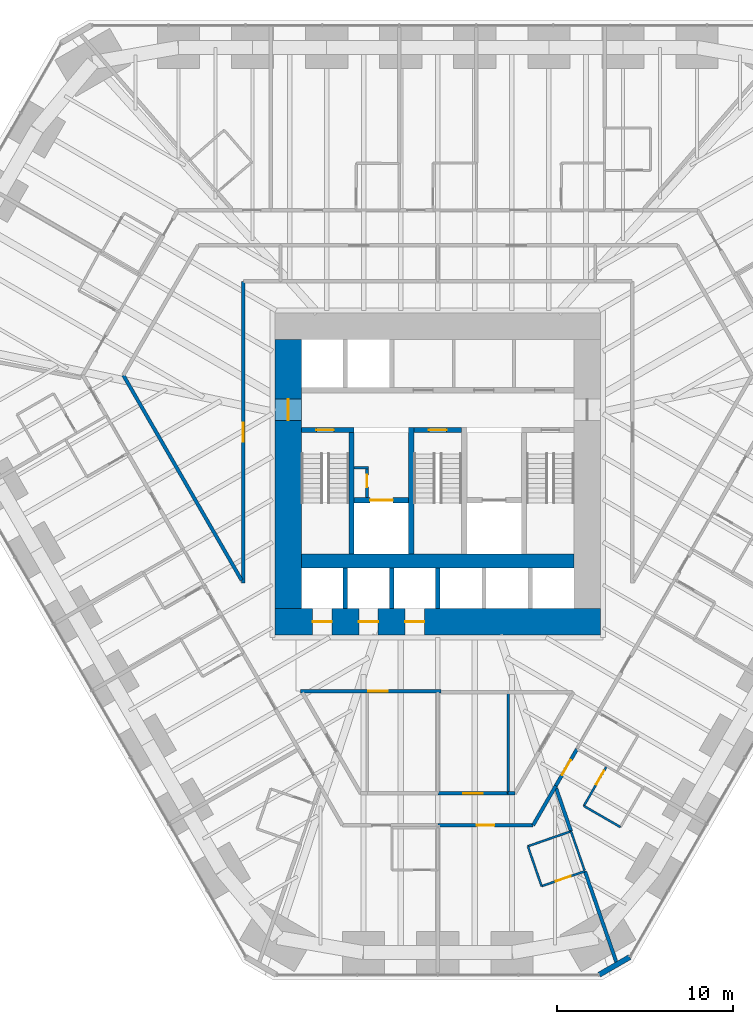
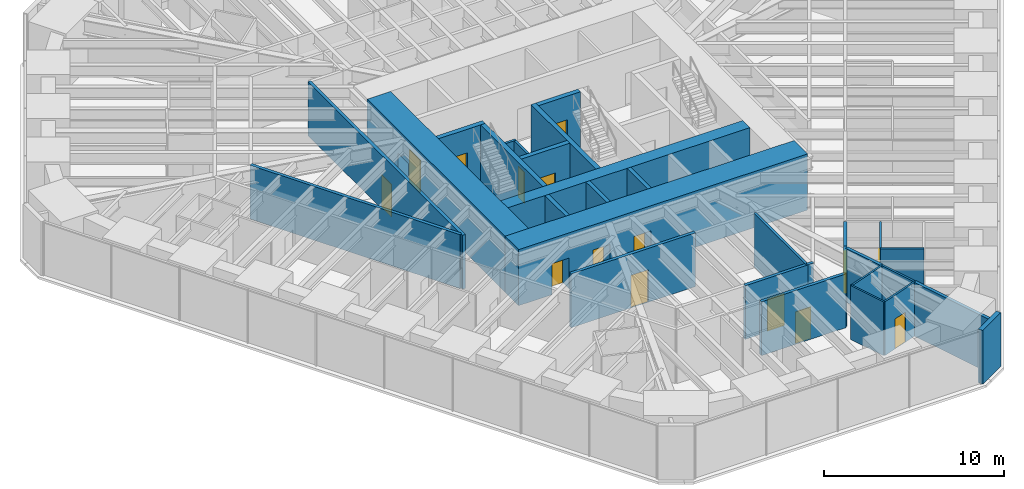
# One storey, part 12 of 17: 31 walls, 15 doors, 15 openings.
"""IFC4 building model written with IfcOpenShell, lengths in metres."""

from ifc_helpers import new_model, si_unit, direction, frame, frame_2d, origin, place, context, subcontext, project, spatial, rectangle, extrude, material, layer, layer_set, type_object, element, fill, save


model = new_model("IFC4")

# Units and contexts
model_context = context("Model", 3, precision=1e-05, world=origin(), true_north=direction((0.0, 1.0)))
body_context = subcontext(model_context, "Body", "Model", "MODEL_VIEW")
ifc_project = project(units=[si_unit("LENGTHUNIT", "METRE"), si_unit("AREAUNIT", "SQUARE_METRE"), si_unit("VOLUMEUNIT", "CUBIC_METRE"), si_unit("PLANEANGLEUNIT", "RADIAN"), si_unit("MASSUNIT", "GRAM", prefix="KILO")], contexts=[model_context])

# Site, building, storey
site_placement = place(None, origin())
site = spatial("IfcSite", under=ifc_project, at=site_placement, CompositionType="ELEMENT")
building_placement = place(site_placement, origin())
building = spatial("IfcBuilding", under=site, at=building_placement, Name="Sandreach Pilgrim Tower", CompositionType="ELEMENT")
storey_placement = place(building_placement, frame((0.0, 0.0, 26.800048828125)))
storey = spatial("IfcBuildingStorey", under=building, at=storey_placement, Name="L05", CompositionType="ELEMENT", Elevation=26.800048828125)

# Walls
ifc_material_1 = material(Name="Gypsum board on steel studs", Category="steel")
ifc_layer_1 = layer(ifc_material_1, 0.14990234375)
ifc_layer_set_1 = layer_set([ifc_layer_1], Name="Back of house wall 150")
wall_type_1 = type_object("IfcWallType", Name="Back of house wall 150", PredefinedType="PARTITIONING", material=ifc_layer_set_1)
wall_1_placement = place(storey_placement, frame((4.0, -13.949951171875, 0.0), z_axis=(0.0, 0.0, 1.0), x_axis=(0.0, -1.0, 0.0)))
element("IfcWall", 1, at=wall_1_placement, inside=storey, type_object=wall_type_1, Name="Back of house wall L05-094", PredefinedType="PARTITIONING", context=body_context, shape_type="SweptSolid", body=[
    extrude(rectangle(XDim=5.760009765625, YDim=0.14990234375, at=frame_2d((2.8798828125, 0.0))), origin(), (0.0, 0.0, 1.0), 3.639892578125),
])
ifc_material_2 = material(Name="Moisture-resistant gypsum board on steel studs", Category="steel")
ifc_layer_2 = layer(ifc_material_2, 0.1201171875)
ifc_layer_set_2 = layer_set([ifc_layer_2], Name="Bathroom partition 120")
wall_type_2 = type_object("IfcWallType", Name="Bathroom partition 120", PredefinedType="PARTITIONING", material=ifc_layer_set_2)
wall_2_placement = place(storey_placement, frame((5.1201171875, -22.7099609375, 0.0), z_axis=(0.0, 0.0, 1.0), x_axis=(0.324880771143, -0.945754981241, 0.0)))
element("IfcWall", 2, at=wall_2_placement, inside=storey, type_object=wall_type_2, Name="Bathroom partition L05-097", PredefinedType="PARTITIONING", context=body_context, shape_type="SweptSolid", body=[
    extrude(rectangle(XDim=2.400146484375, YDim=0.1201171875, at=frame_2d((1.2001953125, 0.0))), origin(), (0.0, 0.0, 1.0), 3.639892578125),
])

# Wall, opening, door
wall_3_placement = place(storey_placement, frame((5.89990234375, -24.97998046875, 0.0), z_axis=(0.0, 0.0, 1.0), x_axis=(0.945165466094, 0.326591857987, 0.0)))
wall_3 = element("IfcWall", 3, at=wall_3_placement, inside=storey, type_object=wall_type_2, Name="Bathroom partition L05-098", PredefinedType="PARTITIONING", context=body_context, shape_type="SweptSolid", body=[
    extrude(rectangle(XDim=2.60302734375, YDim=0.1201171875, at=frame_2d((1.301513671875, 0.0))), origin(), (0.0, 0.0, 1.0), 3.639892578125),
])
opening_1_placement = place(wall_3_placement, frame((0.85009765625, 0.0, 0.0)))
opening_1 = element("IfcOpeningElement", 4, at=opening_1_placement, cuts=wall_3, Name="Opening D09-13B", PredefinedType="OPENING", context=body_context, shape_type="SweptSolid", body=[
    extrude(rectangle(XDim=0.89990234375, YDim=2.030029296875, at=frame_2d((0.449951171875, 1.01513671875))), frame((0.0, 0.06005859375, 0.0), z_axis=(0.0, -1.0, 0.0), x_axis=(1.0, 0.0, 0.0)), (0.0, 0.0, 1.0), 0.1201171875),
])
ifc_material_3 = material(Name="Timber door, steel frame", Category="steel")
door_type_1 = type_object("IfcDoorType", Name="Bathroom door", OperationType="SINGLE_SWING_LEFT", PredefinedType="DOOR", material=ifc_material_3)
door_1_placement = place(opening_1_placement, origin())
door_1 = element("IfcDoor", 5, at=door_1_placement, inside=storey, type_object=door_type_1, Name="Door 0513B", OperationType="SINGLE_SWING_LEFT", OverallHeight=2.030029296875, OverallWidth=0.89990234375, PredefinedType="DOOR", context=body_context, shape_type="SweptSolid", body=[
    extrude(rectangle(XDim=0.89990234375, YDim=2.030029296875, at=frame_2d((0.449951171875, 1.01513671875))), frame((0.0, 0.02490234375, 0.0), z_axis=(0.0, -1.0, 0.0), x_axis=(1.0, 0.0, 0.0)), (0.0, 0.0, 1.0), 0.050048828125),
])
fill(opening_1, door_1)

# Walls
wall_4_placement = place(storey_placement, frame((7.570068359375, -21.860107421875, 0.0), z_axis=(0.0, 0.0, 1.0), x_axis=(-0.944782191137, -0.327698964463, 0.0)))
element("IfcWall", 6, at=wall_4_placement, inside=storey, type_object=wall_type_2, Name="Bathroom partition L05-104", PredefinedType="PARTITIONING", context=body_context, shape_type="SweptSolid", body=[
    extrude(rectangle(XDim=2.593505859375, YDim=0.1201171875, at=frame_2d((1.296875, 0.0))), origin(), (0.0, 0.0, 1.0), 3.639892578125),
])
wall_5_placement = place(storey_placement, frame((7.570068359375, -21.860107421875, 0.0), z_axis=(0.0, 0.0, 1.0), x_axis=(0.327706459026, -0.944779591605, 0.0)))
element("IfcWall", 7, at=wall_5_placement, inside=storey, type_object=wall_type_2, Name="Bathroom partition L05-105", PredefinedType="PARTITIONING", context=body_context, shape_type="SweptSolid", body=[
    extrude(rectangle(XDim=2.349609375, YDim=0.1201171875, at=frame_2d((1.1748046875, 0.0))), origin(), (0.0, 0.0, 1.0), 3.639892578125),
])
wall_6_placement = place(storey_placement, frame((8.300048828125, -20.419921875, 0.0), z_axis=(0.0, 0.0, 1.0), x_axis=(0.866177122335, -0.499737123639, 0.0)))
element("IfcWall", 8, at=wall_6_placement, inside=storey, type_object=wall_type_2, Name="Bathroom partition L05-109", PredefinedType="PARTITIONING", context=body_context, shape_type="SweptSolid", body=[
    extrude(rectangle(XDim=2.401123046875, YDim=0.1201171875, at=frame_2d((1.20068359375, 0.0))), origin(), (0.0, 0.0, 1.0), 3.639892578125),
])

# Wall, opening, door
wall_7_placement = place(storey_placement, frame((9.60009765625, -18.159912109375, 0.0), z_axis=(0.0, 0.0, 1.0), x_axis=(-0.498627694264, -0.866816256489, 0.0)))
wall_7 = element("IfcWall", 9, at=wall_7_placement, inside=storey, type_object=wall_type_2, Name="Bathroom partition L05-122", PredefinedType="PARTITIONING", context=body_context, shape_type="SweptSolid", body=[
    extrude(rectangle(XDim=2.607177734375, YDim=0.1201171875, at=frame_2d((1.3037109375, 0.0))), origin(), (0.0, 0.0, 1.0), 3.639892578125),
])
opening_2_placement = place(wall_7_placement, frame((0.300048828125, 0.0, 0.0)))
opening_2 = element("IfcOpeningElement", 10, at=opening_2_placement, cuts=wall_7, Name="Opening D09-12B", PredefinedType="OPENING", context=body_context, shape_type="SweptSolid", body=[
    extrude(rectangle(XDim=0.89990234375, YDim=2.030029296875, at=frame_2d((0.449951171875, 1.01513671875))), frame((0.0, 0.06005859375, 0.0), z_axis=(0.0, -1.0, 0.0), x_axis=(1.0, 0.0, 0.0)), (0.0, 0.0, 1.0), 0.1201171875),
])
door_2_placement = place(opening_2_placement, origin())
door_2 = element("IfcDoor", 11, at=door_2_placement, inside=storey, type_object=door_type_1, Name="Door 0512B", OperationType="SINGLE_SWING_LEFT", OverallHeight=2.030029296875, OverallWidth=0.89990234375, PredefinedType="DOOR", context=body_context, shape_type="SweptSolid", body=[
    extrude(rectangle(XDim=0.89990234375, YDim=2.030029296875, at=frame_2d((0.449951171875, 1.01513671875))), frame((0.0, 0.02490234375, 0.0), z_axis=(0.0, -1.0, 0.0), x_axis=(1.0, 0.0, 0.0)), (0.0, 0.0, 1.0), 0.050048828125),
])
fill(opening_2, door_2)

# Walls
ifc_material_4 = material(Name="Concrete 10000 psi", Category="concrete")
ifc_layer_3 = layer(ifc_material_4, 0.300048828125)
ifc_layer_set_3 = layer_set([ifc_layer_3], Name="Core inner wall 300")
wall_type_3 = type_object("IfcWallType", Name="Core inner wall 300", PredefinedType="SHEAR", material=ifc_layer_set_3)
for number, where, z_axis, x_axis, name in (
    (12, (-4.89990234375, -6.10009765625, 0.0), (0.0, 0.0, 1.0), (0.0, 1.0, 0.0), "Core wall I0 L05"),
    (13, (-1.5, -6.10009765625, 0.0), (0.0, 0.0, 1.0), (0.0, 1.0, 0.0), "Core wall I1 L05"),
):
    element("IfcWall", number, at=place(storey_placement, frame(where, z_axis=z_axis, x_axis=x_axis)), inside=storey, type_object=wall_type_3, Name=name, PredefinedType="SHEAR", context=body_context, shape_type="SweptSolid", body=[
        extrude(rectangle(XDim=7.2001953125, YDim=0.300048828125, at=frame_2d((3.60009765625, 0.0))), origin(), (0.0, 0.0, 1.0), 3.800048828125),
    ])

# Wall, opening, door
wall_8_placement = place(storey_placement, frame((-7.75, 0.949951171875, 0.0), z_axis=(0.0, 0.0, 1.0), x_axis=(1.0, 0.0, 0.0)))
wall_8 = element("IfcWall", 14, at=wall_8_placement, inside=storey, type_object=wall_type_3, Name="Core wall SN1 L05", PredefinedType="SHEAR", context=body_context, shape_type="SweptSolid", body=[
    extrude(rectangle(XDim=3.0, YDim=0.300048828125, at=frame_2d((1.5, 0.0))), origin(), (0.0, 0.0, 1.0), 3.800048828125),
])
opening_3_placement = place(wall_8_placement, frame((0.85009765625, 0.0, 0.0)))
opening_3 = element("IfcOpeningElement", 15, at=opening_3_placement, cuts=wall_8, Name="Opening D10S-ST1", PredefinedType="OPENING", context=body_context, shape_type="SweptSolid", body=[
    extrude(rectangle(XDim=1.0, YDim=2.199951171875, at=frame_2d((0.5, 1.10009765625))), frame((0.0, 0.14990234375, 0.0), z_axis=(0.0, -1.0, 0.0), x_axis=(1.0, 0.0, 0.0)), (0.0, 0.0, 1.0), 0.300048828125),
])
ifc_material_5 = material(Name="Steel door and frame", Category="steel")
door_type_2 = type_object("IfcDoorType", Name="Stair door", OperationType="SINGLE_SWING_LEFT", PredefinedType="DOOR", material=ifc_material_5)
door_3_placement = place(opening_3_placement, origin())
door_3 = element("IfcDoor", 16, at=door_3_placement, inside=storey, type_object=door_type_2, Name="Stair door ST1 L05", OperationType="SINGLE_SWING_LEFT", OverallHeight=2.199951171875, OverallWidth=1.0, PredefinedType="DOOR", context=body_context, shape_type="SweptSolid", body=[
    extrude(rectangle(XDim=1.0, YDim=2.199951171875, at=frame_2d((0.5, 1.10009765625))), frame((0.0, 0.02490234375, 0.0), z_axis=(0.0, -1.0, 0.0), x_axis=(1.0, 0.0, 0.0)), (0.0, 0.0, 1.0), 0.050048828125),
])
fill(opening_3, door_3)

wall_9_placement = place(storey_placement, frame((-1.35009765625, 0.949951171875, 0.0), z_axis=(0.0, 0.0, 1.0), x_axis=(1.0, 0.0, 0.0)))
wall_9 = element("IfcWall", 17, at=wall_9_placement, inside=storey, type_object=wall_type_3, Name="Core wall SN3 L05", PredefinedType="SHEAR", context=body_context, shape_type="SweptSolid", body=[
    extrude(rectangle(XDim=2.7001953125, YDim=0.300048828125, at=frame_2d((1.35009765625, 0.0))), origin(), (0.0, 0.0, 1.0), 3.800048828125),
])
opening_4_placement = place(wall_9_placement, frame((0.85009765625, 0.0, 0.0)))
opening_4 = element("IfcOpeningElement", 18, at=opening_4_placement, cuts=wall_9, Name="Opening D10S-ST3", PredefinedType="OPENING", context=body_context, shape_type="SweptSolid", body=[
    extrude(rectangle(XDim=1.0, YDim=2.199951171875, at=frame_2d((0.5, 1.10009765625))), frame((0.0, 0.14990234375, 0.0), z_axis=(0.0, -1.0, 0.0), x_axis=(1.0, 0.0, 0.0)), (0.0, 0.0, 1.0), 0.300048828125),
])
door_4_placement = place(opening_4_placement, origin())
door_4 = element("IfcDoor", 19, at=door_4_placement, inside=storey, type_object=door_type_2, Name="Stair door ST3 L05", OperationType="SINGLE_SWING_LEFT", OverallHeight=2.199951171875, OverallWidth=1.0, PredefinedType="DOOR", context=body_context, shape_type="SweptSolid", body=[
    extrude(rectangle(XDim=1.0, YDim=2.199951171875, at=frame_2d((0.5, 1.10009765625))), frame((0.0, 0.02490234375, 0.0), z_axis=(0.0, -1.0, 0.0), x_axis=(1.0, 0.0, 0.0)), (0.0, 0.0, 1.0), 0.050048828125),
])
fill(opening_4, door_4)

wall_10_placement = place(storey_placement, frame((-4.75, -3.050048828125, 0.0), z_axis=(0.0, 0.0, 1.0), x_axis=(1.0, 0.0, 0.0)))
wall_10 = element("IfcWall", 20, at=wall_10_placement, inside=storey, type_object=wall_type_3, Name="Core wall FL1 L05", PredefinedType="SHEAR", context=body_context, shape_type="SweptSolid", body=[
    extrude(rectangle(XDim=3.10009765625, YDim=0.300048828125, at=frame_2d((1.550048828125, 0.0))), origin(), (0.0, 0.0, 1.0), 3.800048828125),
])
opening_5_placement = place(wall_10_placement, frame((0.89990234375, 0.0, 0.0)))
opening_5 = element("IfcOpeningElement", 21, at=opening_5_placement, cuts=wall_10, Name="Opening LD13", PredefinedType="OPENING", context=body_context, shape_type="SweptSolid", body=[
    extrude(rectangle(XDim=1.300048828125, YDim=2.10009765625, at=frame_2d((0.64990234375, 1.050048828125))), frame((0.0, 0.14990234375, 0.0), z_axis=(0.0, -1.0, 0.0), x_axis=(1.0, 0.0, 0.0)), (0.0, 0.0, 1.0), 0.300048828125),
])
ifc_material_6 = material(Name="Steel door and frame", Category="steel")
door_type_3 = type_object("IfcDoorType", Name="Fire service lift landing door", OperationType="DOUBLE_DOOR_SLIDING", PredefinedType="DOOR", material=ifc_material_6)
door_5_placement = place(opening_5_placement, origin())
door_5 = element("IfcDoor", 22, at=door_5_placement, inside=storey, type_object=door_type_3, Name="Lift landing door FS1 L05", OperationType="DOUBLE_DOOR_SLIDING", OverallHeight=2.10009765625, OverallWidth=1.300048828125, PredefinedType="DOOR", context=body_context, shape_type="SweptSolid", body=[
    extrude(rectangle(XDim=1.300048828125, YDim=2.10009765625, at=frame_2d((0.64990234375, 1.050048828125))), frame((0.0, 0.02490234375, 0.0), z_axis=(0.0, -1.0, 0.0), x_axis=(1.0, 0.0, 0.0)), (0.0, 0.0, 1.0), 0.050048828125),
])
fill(opening_5, door_5)

# Wall
ifc_material_7 = material(Name="Concrete 10000 psi", Category="concrete")
ifc_layer_4 = layer(ifc_material_7, 0.800048828125)
ifc_layer_set_4 = layer_set([ifc_layer_4], Name="Core mid wall 800")
wall_type_4 = type_object("IfcWallType", Name="Core mid wall 800", PredefinedType="SHEAR", material=ifc_layer_set_4)
wall_11_placement = place(storey_placement, frame((-7.75, -6.5, 0.0), z_axis=(0.0, 0.0, 1.0), x_axis=(1.0, 0.0, 0.0)))
element("IfcWall", 23, at=wall_11_placement, inside=storey, type_object=wall_type_4, Name="Core wall M L05", PredefinedType="SHEAR", context=body_context, shape_type="SweptSolid", body=[
    extrude(rectangle(XDim=15.5, YDim=0.800048828125, at=frame_2d((7.75, 0.0))), origin(), (0.0, 0.0, 1.0), 3.800048828125),
])

# Wall, openings, doors
ifc_material_8 = material(Name="Concrete 10000 psi", Category="concrete")
ifc_layer_5 = layer(ifc_material_8, 1.5)
ifc_layer_set_5 = layer_set([ifc_layer_5], Name="Core wall 1500")
wall_type_5 = type_object("IfcWallType", Name="Core wall 1500", PredefinedType="SHEAR", material=ifc_layer_set_5)
wall_12_placement = place(storey_placement, frame((-9.25, -9.949951171875, 0.0), z_axis=(0.0, 0.0, 1.0), x_axis=(1.0, 0.0, 0.0)))
wall_12 = element("IfcWall", 24, at=wall_12_placement, inside=storey, type_object=wall_type_5, Name="Core wall S L05", PredefinedType="SHEAR", context=body_context, shape_type="SweptSolid", body=[
    extrude(rectangle(XDim=18.5, YDim=1.5, at=frame_2d((9.25, 0.0))), origin(), (0.0, 0.0, 1.0), 3.800048828125),
])
opening_6_placement = place(wall_12_placement, frame((2.137451171875, 0.0, 0.0)))
opening_6 = element("IfcOpeningElement", 25, at=opening_6_placement, cuts=wall_12, Name="Opening LD11", PredefinedType="OPENING", context=body_context, shape_type="SweptSolid", body=[
    extrude(rectangle(XDim=1.10009765625, YDim=2.10009765625, at=frame_2d((0.550048828125, 1.050048828125))), frame((0.0, 0.75, 0.0), z_axis=(0.0, -1.0, 0.0), x_axis=(1.0, 0.0, 0.0)), (0.0, 0.0, 1.0), 1.5),
])
opening_7_placement = place(wall_12_placement, frame((4.762451171875, 0.0, 0.0)))
opening_7 = element("IfcOpeningElement", 26, at=opening_7_placement, cuts=wall_12, Name="Opening LD11", PredefinedType="OPENING", context=body_context, shape_type="SweptSolid", body=[
    extrude(rectangle(XDim=1.10009765625, YDim=2.10009765625, at=frame_2d((0.550048828125, 1.050048828125))), frame((0.0, 0.75, 0.0), z_axis=(0.0, -1.0, 0.0), x_axis=(1.0, 0.0, 0.0)), (0.0, 0.0, 1.0), 1.5),
])
opening_8_placement = place(wall_12_placement, frame((7.387451171875, 0.0, 0.0)))
opening_8 = element("IfcOpeningElement", 27, at=opening_8_placement, cuts=wall_12, Name="Opening LD11", PredefinedType="OPENING", context=body_context, shape_type="SweptSolid", body=[
    extrude(rectangle(XDim=1.10009765625, YDim=2.10009765625, at=frame_2d((0.550048828125, 1.050048828125))), frame((0.0, 0.75, 0.0), z_axis=(0.0, -1.0, 0.0), x_axis=(1.0, 0.0, 0.0)), (0.0, 0.0, 1.0), 1.5),
])
ifc_material_9 = material(Name="Steel door and frame", Category="steel")
door_type_4 = type_object("IfcDoorType", Name="Lift landing door", OperationType="DOUBLE_DOOR_SLIDING", PredefinedType="DOOR", material=ifc_material_9)
door_6_placement = place(opening_6_placement, origin())
door_6 = element("IfcDoor", 28, at=door_6_placement, inside=storey, type_object=door_type_4, Name="Lift landing door Z1A L05", OperationType="DOUBLE_DOOR_SLIDING", OverallHeight=2.10009765625, OverallWidth=1.10009765625, PredefinedType="DOOR", context=body_context, shape_type="SweptSolid", body=[
    extrude(rectangle(XDim=1.10009765625, YDim=2.10009765625, at=frame_2d((0.550048828125, 1.050048828125))), frame((0.0, 0.02490234375, 0.0), z_axis=(0.0, -1.0, 0.0), x_axis=(1.0, 0.0, 0.0)), (0.0, 0.0, 1.0), 0.050048828125),
])
fill(opening_6, door_6)
door_7_placement = place(opening_7_placement, origin())
door_7 = element("IfcDoor", 29, at=door_7_placement, inside=storey, type_object=door_type_4, Name="Lift landing door Z1B L05", OperationType="DOUBLE_DOOR_SLIDING", OverallHeight=2.10009765625, OverallWidth=1.10009765625, PredefinedType="DOOR", context=body_context, shape_type="SweptSolid", body=[
    extrude(rectangle(XDim=1.10009765625, YDim=2.10009765625, at=frame_2d((0.550048828125, 1.050048828125))), frame((0.0, 0.02490234375, 0.0), z_axis=(0.0, -1.0, 0.0), x_axis=(1.0, 0.0, 0.0)), (0.0, 0.0, 1.0), 0.050048828125),
])
fill(opening_7, door_7)
door_8_placement = place(opening_8_placement, origin())
door_8 = element("IfcDoor", 30, at=door_8_placement, inside=storey, type_object=door_type_4, Name="Lift landing door Z1C L05", OperationType="DOUBLE_DOOR_SLIDING", OverallHeight=2.10009765625, OverallWidth=1.10009765625, PredefinedType="DOOR", context=body_context, shape_type="SweptSolid", body=[
    extrude(rectangle(XDim=1.10009765625, YDim=2.10009765625, at=frame_2d((0.550048828125, 1.050048828125))), frame((0.0, 0.02490234375, 0.0), z_axis=(0.0, -1.0, 0.0), x_axis=(1.0, 0.0, 0.0)), (0.0, 0.0, 1.0), 0.050048828125),
])
fill(opening_8, door_8)

# Wall, opening, door
wall_13_placement = place(storey_placement, frame((-8.5, -9.199951171875, 0.0), z_axis=(0.0, 0.0, 1.0), x_axis=(0.0, 1.0, 0.0)))
wall_13 = element("IfcWall", 31, at=wall_13_placement, inside=storey, type_object=wall_type_5, Name="Core wall W L05", PredefinedType="SHEAR", context=body_context, shape_type="SweptSolid", body=[
    extrude(rectangle(XDim=15.300048828125, YDim=1.5, at=frame_2d((7.64990234375, 0.0))), origin(), (0.0, 0.0, 1.0), 3.800048828125),
])
opening_9_placement = place(wall_13_placement, frame((10.699951171875, 0.0, 0.0)))
opening_9 = element("IfcOpeningElement", 32, at=opening_9_placement, cuts=wall_13, Name="Opening D12F-W", PredefinedType="OPENING", context=body_context, shape_type="SweptSolid", body=[
    extrude(rectangle(XDim=1.199951171875, YDim=2.199951171875, at=frame_2d((0.60009765625, 1.10009765625))), frame((0.0, 0.75, 0.0), z_axis=(0.0, -1.0, 0.0), x_axis=(1.0, 0.0, 0.0)), (0.0, 0.0, 1.0), 1.5),
])
ifc_material_10 = material(Name="Steel door and frame", Category="steel")
door_type_5 = type_object("IfcDoorType", Name="Fire lobby door", OperationType="SINGLE_SWING_LEFT", PredefinedType="DOOR", material=ifc_material_10)
door_9_placement = place(opening_9_placement, origin())
door_9 = element("IfcDoor", 33, at=door_9_placement, inside=storey, type_object=door_type_5, Name="Fire service lobby door W L05", OperationType="SINGLE_SWING_RIGHT", OverallHeight=2.199951171875, OverallWidth=1.199951171875, PredefinedType="DOOR", context=body_context, shape_type="SweptSolid", body=[
    extrude(rectangle(XDim=1.199951171875, YDim=2.199951171875, at=frame_2d((0.60009765625, 1.10009765625))), frame((0.0, 0.02490234375, 0.0), z_axis=(0.0, -1.0, 0.0), x_axis=(1.0, 0.0, 0.0)), (0.0, 0.0, 1.0), 0.050048828125),
])
fill(opening_9, door_9)

# Wall
ifc_material_11 = material(Name="Gypsum board on steel studs, two layers each side", Category="steel")
ifc_layer_6 = layer(ifc_material_11, 0.199951171875)
ifc_layer_set_6 = layer_set([ifc_layer_6], Name="Corridor wall 200")
wall_type_6 = type_object("IfcWallType", Name="Corridor wall 200", PredefinedType="PARTITIONING", material=ifc_layer_set_6)
wall_14_placement = place(storey_placement, frame((-11.1474609375, -7.591064453125, 0.0), z_axis=(0.0, 0.0, 1.0), x_axis=(-0.499756496688, 0.86616594485, 0.0)))
element("IfcWall", 34, at=wall_14_placement, inside=storey, type_object=wall_type_6, Name="Corridor wall L05-046", PredefinedType="PARTITIONING", context=body_context, shape_type="SweptSolid", body=[
    extrude(rectangle(XDim=13.451416015625, YDim=0.199951171875, at=frame_2d((6.7255859375, 0.0))), origin(), (0.0, 0.0, 1.0), 3.639892578125),
])

# Wall, opening, door
wall_15_placement = place(storey_placement, frame((-11.050048828125, 9.39990234375, 0.0), z_axis=(0.0, 0.0, 1.0), x_axis=(0.0, -1.0, 0.0)))
wall_15 = element("IfcWall", 35, at=wall_15_placement, inside=storey, type_object=wall_type_6, Name="Corridor wall L05-048", PredefinedType="PARTITIONING", context=body_context, shape_type="SweptSolid", body=[
    extrude(rectangle(XDim=17.159912109375, YDim=0.199951171875, at=frame_2d((8.580078125, 0.0))), origin(), (0.0, 0.0, 1.0), 3.639892578125),
])
opening_10_placement = place(wall_15_placement, frame((8.030029296875, 0.0, 0.0)))
opening_10 = element("IfcOpeningElement", 36, at=opening_10_placement, cuts=wall_15, Name="Opening D11H-M01", PredefinedType="OPENING", context=body_context, shape_type="SweptSolid", body=[
    extrude(rectangle(XDim=1.10009765625, YDim=2.199951171875, at=frame_2d((0.550048828125, 1.10009765625))), frame((0.0, 0.10009765625, 0.0), z_axis=(0.0, -1.0, 0.0), x_axis=(1.0, 0.0, 0.0)), (0.0, 0.0, 1.0), 0.199951171875),
])
ifc_material_12 = material(Name="Steel door and frame", Category="steel")
door_type_6 = type_object("IfcDoorType", Name="Back of house door", OperationType="SINGLE_SWING_LEFT", PredefinedType="DOOR", material=ifc_material_12)
door_10_placement = place(opening_10_placement, origin())
door_10 = element("IfcDoor", 37, at=door_10_placement, inside=storey, type_object=door_type_6, Name="Door 05M01", OperationType="SINGLE_SWING_LEFT", OverallHeight=2.199951171875, OverallWidth=1.10009765625, PredefinedType="DOOR", context=body_context, shape_type="SweptSolid", body=[
    extrude(rectangle(XDim=1.10009765625, YDim=2.199951171875, at=frame_2d((0.550048828125, 1.10009765625))), frame((0.0, 0.02490234375, 0.0), z_axis=(0.0, -1.0, 0.0), x_axis=(1.0, 0.0, 0.0)), (0.0, 0.0, 1.0), 0.050048828125),
])
fill(opening_10, door_10)

wall_16_placement = place(storey_placement, frame((0.0, -21.510009765625, 0.0), z_axis=(0.0, 0.0, 1.0), x_axis=(1.0, 0.0, 0.0)))
wall_16 = element("IfcWall", 38, at=wall_16_placement, inside=storey, type_object=wall_type_6, Name="Corridor wall L05-081", PredefinedType="PARTITIONING", context=body_context, shape_type="SweptSolid", body=[
    extrude(rectangle(XDim=5.419921875, YDim=0.199951171875, at=frame_2d((2.7099609375, 0.0))), origin(), (0.0, 0.0, 1.0), 3.639892578125),
])
opening_11_placement = place(wall_16_placement, frame((2.2099609375, 0.0, 0.0)))
opening_11 = element("IfcOpeningElement", 39, at=opening_11_placement, cuts=wall_16, Name="Opening D10-13", PredefinedType="OPENING", context=body_context, shape_type="SweptSolid", body=[
    extrude(rectangle(XDim=1.0, YDim=2.1298828125, at=frame_2d((0.5, 1.06494140625))), frame((0.0, 0.10009765625, 0.0), z_axis=(0.0, -1.0, 0.0), x_axis=(1.0, 0.0, 0.0)), (0.0, 0.0, 1.0), 0.199951171875),
])
ifc_material_13 = material(Name="Steel door and frame", Category="steel")
door_type_7 = type_object("IfcDoorType", Name="Guest room entry door", OperationType="SINGLE_SWING_LEFT", PredefinedType="DOOR", material=ifc_material_13)
door_11_placement = place(opening_11_placement, origin())
door_11 = element("IfcDoor", 40, at=door_11_placement, inside=storey, type_object=door_type_7, Name="Door 0513", OperationType="SINGLE_SWING_LEFT", OverallHeight=2.1298828125, OverallWidth=1.0, PredefinedType="DOOR", context=body_context, shape_type="SweptSolid", body=[
    extrude(rectangle(XDim=1.0, YDim=2.1298828125, at=frame_2d((0.5, 1.06494140625))), frame((0.0, 0.02490234375, 0.0), z_axis=(0.0, -1.0, 0.0), x_axis=(1.0, 0.0, 0.0)), (0.0, 0.0, 1.0), 0.050048828125),
])
fill(opening_11, door_11)

wall_17_placement = place(storey_placement, frame((0.179931640625, -13.89990234375, 0.0), z_axis=(0.0, 0.0, 1.0), x_axis=(-1.0, 0.0, 0.0)))
wall_17 = element("IfcWall", 41, at=wall_17_placement, inside=storey, type_object=wall_type_6, Name="Corridor wall L05-088", PredefinedType="PARTITIONING", context=body_context, shape_type="SweptSolid", body=[
    extrude(rectangle(XDim=7.969970703125, YDim=0.199951171875, at=frame_2d((3.98486328125, 0.0))), origin(), (0.0, 0.0, 1.0), 3.639892578125),
])
opening_12_placement = place(wall_17_placement, frame((3.034912109375, 0.0, 0.0)))
opening_12 = element("IfcOpeningElement", 42, at=opening_12_placement, cuts=wall_17, Name="Opening D11H-S2", PredefinedType="OPENING", context=body_context, shape_type="SweptSolid", body=[
    extrude(rectangle(XDim=1.10009765625, YDim=2.199951171875, at=frame_2d((0.550048828125, 1.10009765625))), frame((0.0, 0.10009765625, 0.0), z_axis=(0.0, -1.0, 0.0), x_axis=(1.0, 0.0, 0.0)), (0.0, 0.0, 1.0), 0.199951171875),
])
door_12_placement = place(opening_12_placement, origin())
door_12 = element("IfcDoor", 43, at=door_12_placement, inside=storey, type_object=door_type_6, Name="Door 05S2", OperationType="SINGLE_SWING_LEFT", OverallHeight=2.199951171875, OverallWidth=1.10009765625, PredefinedType="DOOR", context=body_context, shape_type="SweptSolid", body=[
    extrude(rectangle(XDim=1.10009765625, YDim=2.199951171875, at=frame_2d((0.550048828125, 1.10009765625))), frame((0.0, 0.02490234375, 0.0), z_axis=(0.0, -1.0, 0.0), x_axis=(1.0, 0.0, 0.0)), (0.0, 0.0, 1.0), 0.050048828125),
])
fill(opening_12, door_12)

wall_18_placement = place(storey_placement, frame((4.0, -19.7099609375, 0.0), z_axis=(0.0, 0.0, 1.0), x_axis=(-1.0, 0.0, 0.0)))
wall_18 = element("IfcWall", 44, at=wall_18_placement, inside=storey, type_object=wall_type_6, Name="Corridor wall L05-093", PredefinedType="PARTITIONING", context=body_context, shape_type="SweptSolid", body=[
    extrude(rectangle(XDim=4.0, YDim=0.199951171875, at=frame_2d((2.0, 0.0))), origin(), (0.0, 0.0, 1.0), 3.639892578125),
])
opening_13_placement = place(wall_18_placement, frame((1.449951171875, 0.0, 0.0)))
opening_13 = element("IfcOpeningElement", 45, at=opening_13_placement, cuts=wall_18, Name="Opening D11H-S3", PredefinedType="OPENING", context=body_context, shape_type="SweptSolid", body=[
    extrude(rectangle(XDim=1.10009765625, YDim=2.199951171875, at=frame_2d((0.550048828125, 1.10009765625))), frame((0.0, 0.10009765625, 0.0), z_axis=(0.0, -1.0, 0.0), x_axis=(1.0, 0.0, 0.0)), (0.0, 0.0, 1.0), 0.199951171875),
])
door_13_placement = place(opening_13_placement, origin())
door_13 = element("IfcDoor", 46, at=door_13_placement, inside=storey, type_object=door_type_6, Name="Door 05S3", OperationType="SINGLE_SWING_LEFT", OverallHeight=2.199951171875, OverallWidth=1.10009765625, PredefinedType="DOOR", context=body_context, shape_type="SweptSolid", body=[
    extrude(rectangle(XDim=1.10009765625, YDim=2.199951171875, at=frame_2d((0.550048828125, 1.10009765625))), frame((0.0, 0.02490234375, 0.0), z_axis=(0.0, -1.0, 0.0), x_axis=(1.0, 0.0, 0.0)), (0.0, 0.0, 1.0), 0.050048828125),
])
fill(opening_13, door_13)

# Walls
wall_19_placement = place(storey_placement, frame((4.3798828125, -19.7099609375, 0.0), z_axis=(0.0, 0.0, 1.0), x_axis=(-1.0, 0.0, 0.0)))
element("IfcWall", 47, at=wall_19_placement, inside=storey, type_object=wall_type_6, Name="Corridor wall L05-096", PredefinedType="PARTITIONING", context=body_context, shape_type="SweptSolid", body=[
    extrude(rectangle(XDim=0.3798828125, YDim=0.199951171875, at=frame_2d((0.18994140625, 0.0))), origin(), (0.0, 0.0, 1.0), 3.639892578125),
])
wall_20_placement = place(storey_placement, frame((6.7099609375, -19.27001953125, 0.0), z_axis=(0.0, 0.0, 1.0), x_axis=(-0.499065468721, -0.866564283784, 0.0)))
element("IfcWall", 48, at=wall_20_placement, inside=storey, type_object=wall_type_6, Name="Corridor wall L05-099", PredefinedType="PARTITIONING", context=body_context, shape_type="SweptSolid", body=[
    extrude(rectangle(XDim=2.5849609375, YDim=0.199951171875, at=frame_2d((1.29248046875, 0.0))), origin(), (0.0, 0.0, 1.0), 3.639892578125),
])

# Wall, opening, door
wall_21_placement = place(storey_placement, frame((6.7099609375, -19.27001953125, 0.0), z_axis=(0.0, 0.0, 1.0), x_axis=(0.499693115345, 0.866202511239, 0.0)))
wall_21 = element("IfcWall", 49, at=wall_21_placement, inside=storey, type_object=wall_type_6, Name="Corridor wall L05-100", PredefinedType="PARTITIONING", context=body_context, shape_type="SweptSolid", body=[
    extrude(rectangle(XDim=2.4013671875, YDim=0.199951171875, at=frame_2d((1.20068359375, 0.0))), origin(), (0.0, 0.0, 1.0), 3.639892578125),
])
opening_14_placement = place(wall_21_placement, frame((0.70068359375, 0.0, 0.0)))
opening_14 = element("IfcOpeningElement", 50, at=opening_14_placement, cuts=wall_21, Name="Opening D10-12", PredefinedType="OPENING", context=body_context, shape_type="SweptSolid", body=[
    extrude(rectangle(XDim=1.0, YDim=2.1298828125, at=frame_2d((0.5, 1.06494140625))), frame((0.0, 0.10009765625, 0.0), z_axis=(0.0, -1.0, 0.0), x_axis=(1.0, 0.0, 0.0)), (0.0, 0.0, 1.0), 0.199951171875),
])
door_14_placement = place(opening_14_placement, origin())
door_14 = element("IfcDoor", 51, at=door_14_placement, inside=storey, type_object=door_type_7, Name="Door 0512", OperationType="SINGLE_SWING_LEFT", OverallHeight=2.1298828125, OverallWidth=1.0, PredefinedType="DOOR", context=body_context, shape_type="SweptSolid", body=[
    extrude(rectangle(XDim=1.0, YDim=2.1298828125, at=frame_2d((0.5, 1.06494140625))), frame((0.0, 0.02490234375, 0.0), z_axis=(0.0, -1.0, 0.0), x_axis=(1.0, 0.0, 0.0)), (0.0, 0.0, 1.0), 0.050048828125),
])
fill(opening_14, door_14)

# Walls
ifc_material_14 = material(Name="Double steel stud acoustic wall, gypsum board", Category="steel")
ifc_layer_7 = layer(ifc_material_14, 0.199951171875)
ifc_layer_set_7 = layer_set([ifc_layer_7], Name="Party wall 200")
wall_type_7 = type_object("IfcWallType", Name="Party wall 200", PredefinedType="PARTITIONING", material=ifc_layer_set_7)
wall_22_placement = place(storey_placement, frame((6.725830078125, -19.4140625, 0.0), z_axis=(0.0, 0.0, 1.0), x_axis=(0.326258175708, -0.945280700524, 0.0)))
element("IfcWall", 52, at=wall_22_placement, inside=storey, type_object=wall_type_7, Name="Party wall L05-101", PredefinedType="PARTITIONING", context=body_context, shape_type="SweptSolid", body=[
    extrude(rectangle(XDim=2.587646484375, YDim=0.199951171875, at=frame_2d((1.2939453125, 0.0))), origin(), (0.0, 0.0, 1.0), 3.639892578125),
])
wall_23_placement = place(storey_placement, frame((8.360107421875, -24.1298828125, 0.0), z_axis=(0.0, 0.0, 1.0), x_axis=(0.327332811485, -0.944909112309, 0.0)))
element("IfcWall", 53, at=wall_23_placement, inside=storey, type_object=wall_type_7, Name="Party wall L05-110", PredefinedType="PARTITIONING", context=body_context, shape_type="SweptSolid", body=[
    extrude(rectangle(XDim=5.621337890625, YDim=0.199951171875, at=frame_2d((2.810546875, 0.0))), origin(), (0.0, 0.0, 1.0), 3.639892578125),
])

# Wall, opening, door
ifc_material_15 = material(Name="Gypsum shaft wall on steel studs, shaft liner board", Category="steel")
ifc_layer_8 = layer(ifc_material_15, 0.14990234375)
ifc_layer_set_8 = layer_set([ifc_layer_8], Name="Riser shaft wall 150")
wall_type_8 = type_object("IfcWallType", Name="Riser shaft wall 150", PredefinedType="PARTITIONING", material=ifc_layer_set_8)
wall_24_placement = place(storey_placement, frame((-4.02490234375, -2.89990234375, 0.0), z_axis=(0.0, 0.0, 1.0), x_axis=(0.0, 1.0, 0.0)))
wall_24 = element("IfcWall", 54, at=wall_24_placement, inside=storey, type_object=wall_type_8, Name="Riser partition L05 side", PredefinedType="PARTITIONING", context=body_context, shape_type="SweptSolid", body=[
    extrude(rectangle(XDim=1.77490234375, YDim=0.14990234375, at=frame_2d((0.887451171875, 0.0))), origin(), (0.0, 0.0, 1.0), 3.639892578125),
])
opening_15_placement = place(wall_24_placement, frame((0.60009765625, 0.0, 0.0)))
opening_15 = element("IfcOpeningElement", 55, at=opening_15_placement, cuts=wall_24, Name="Opening D07R", PredefinedType="OPENING", context=body_context, shape_type="SweptSolid", body=[
    extrude(rectangle(XDim=0.699951171875, YDim=2.10009765625, at=frame_2d((0.35009765625, 1.050048828125))), frame((0.0, 0.074951171875, 0.0), z_axis=(0.0, -1.0, 0.0), x_axis=(1.0, 0.0, 0.0)), (0.0, 0.0, 1.0), 0.14990234375),
])
ifc_material_16 = material(Name="Steel door and frame, smoke seals", Category="steel")
door_type_8 = type_object("IfcDoorType", Name="Riser access door", OperationType="SINGLE_SWING_RIGHT", PredefinedType="DOOR", material=ifc_material_16)
door_15_placement = place(opening_15_placement, origin())
door_15 = element("IfcDoor", 56, at=door_15_placement, inside=storey, type_object=door_type_8, Name="Door riser 05ER", OperationType="SINGLE_SWING_RIGHT", OverallHeight=2.10009765625, OverallWidth=0.699951171875, PredefinedType="DOOR", context=body_context, shape_type="SweptSolid", body=[
    extrude(rectangle(XDim=0.699951171875, YDim=2.10009765625, at=frame_2d((0.35009765625, 1.050048828125))), frame((0.0, 0.02490234375, 0.0), z_axis=(0.0, -1.0, 0.0), x_axis=(1.0, 0.0, 0.0)), (0.0, 0.0, 1.0), 0.050048828125),
])
fill(opening_15, door_15)

# Walls
wall_25_placement = place(storey_placement, frame((-4.75, -1.199951171875, 0.0), z_axis=(0.0, 0.0, 1.0), x_axis=(1.0, 0.0, 0.0)))
element("IfcWall", 57, at=wall_25_placement, inside=storey, type_object=wall_type_8, Name="Riser partition L05 front", PredefinedType="PARTITIONING", context=body_context, shape_type="SweptSolid", body=[
    extrude(rectangle(XDim=0.800048828125, YDim=0.14990234375, at=frame_2d((0.39990234375, 0.0))), origin(), (0.0, 0.0, 1.0), 3.639892578125),
])
ifc_material_17 = material(Name="Gypsum shaft wall on steel studs, two layers of shaft liner board", Category="steel")
ifc_layer_9 = layer(ifc_material_17, 0.25)
ifc_layer_set_9 = layer_set([ifc_layer_9], Name="Shaft partition 250")
wall_type_9 = type_object("IfcWallType", Name="Shaft partition 250", PredefinedType="PARTITIONING", material=ifc_layer_set_9)
for number, where, z_axis, x_axis, name in (
    (58, (-5.25, -9.199951171875, 0.0), (0.0, 0.0, 1.0), (0.0, 1.0, 0.0), "Shaft partition XS0 L05"),
    (59, (-2.625, -9.199951171875, 0.0), (0.0, 0.0, 1.0), (0.0, 1.0, 0.0), "Shaft partition XS1 L05"),
    (60, (0.0, -9.199951171875, 0.0), (0.0, 0.0, 1.0), (0.0, 1.0, 0.0), "Shaft partition XS2 L05"),
):
    element("IfcWall", number, at=place(storey_placement, frame(where, z_axis=z_axis, x_axis=x_axis)), inside=storey, type_object=wall_type_9, Name=name, PredefinedType="PARTITIONING", context=body_context, shape_type="SweptSolid", body=[
        extrude(rectangle(XDim=2.300048828125, YDim=0.25, at=frame_2d((1.14990234375, 0.0))), origin(), (0.0, 0.0, 1.0), 3.800048828125),
    ])
ifc_material_18 = material(Name="Terracotta rainscreen on concrete", Category="masonry")
ifc_layer_10 = layer(ifc_material_18, 0.300048828125)
ifc_layer_set_10 = layer_set([ifc_layer_10], Name="Terracotta chamfer pier")
wall_type_10 = type_object("IfcWallType", Name="Terracotta chamfer pier", PredefinedType="SOLIDWALL", material=ifc_layer_set_10)
wall_26_placement = place(storey_placement, frame((10.904052734375, -29.010986328125, 0.0), z_axis=(0.0, 0.0, 1.0), x_axis=(-0.866010750942, -0.50002537861, 0.0)))
element("IfcWall", 61, at=wall_26_placement, inside=storey, type_object=wall_type_10, Name="Chamfer pier L05 SE", PredefinedType="SOLIDWALL", context=body_context, shape_type="SweptSolid", body=[
    extrude(rectangle(XDim=2.0, YDim=0.300048828125, at=frame_2d((1.0, 0.0))), origin(), (0.0, 0.0, 1.0), 3.639892578125),
])

save(model, "model.ifc")
